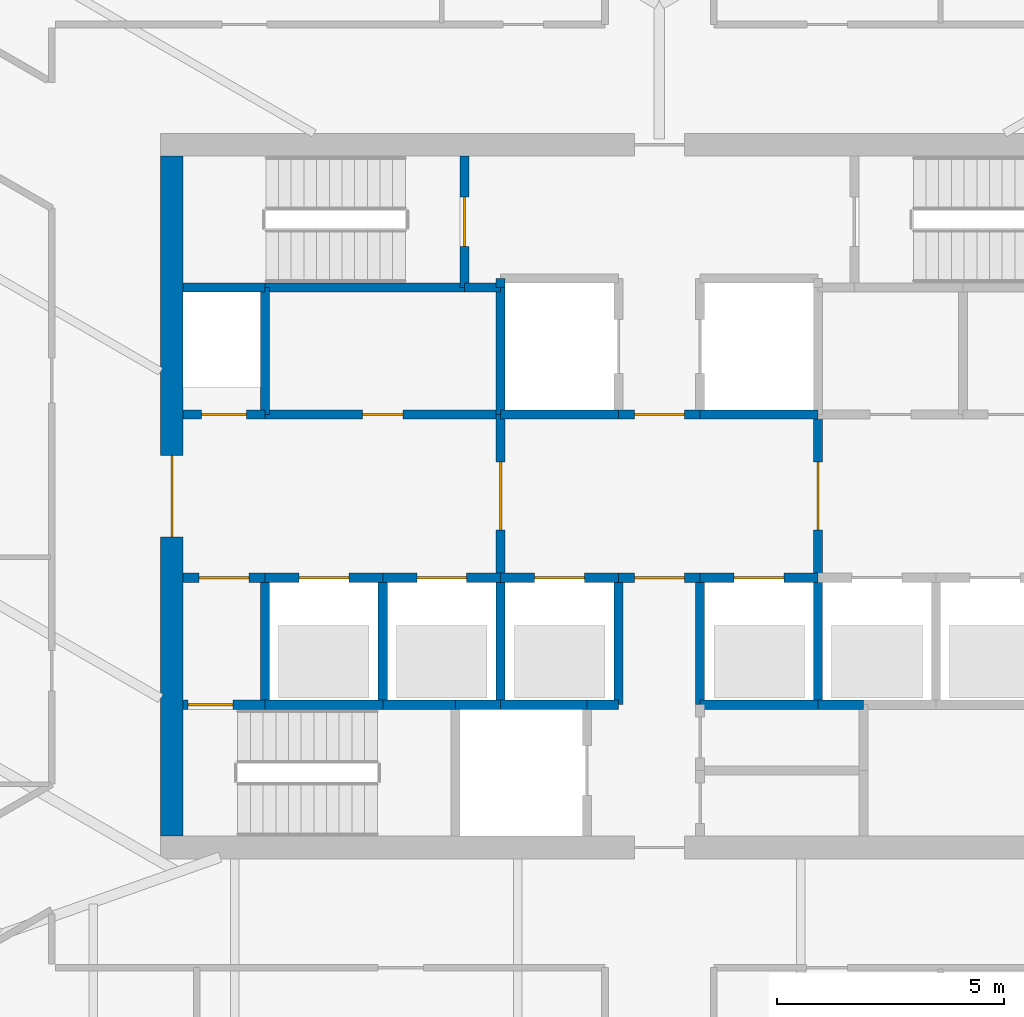
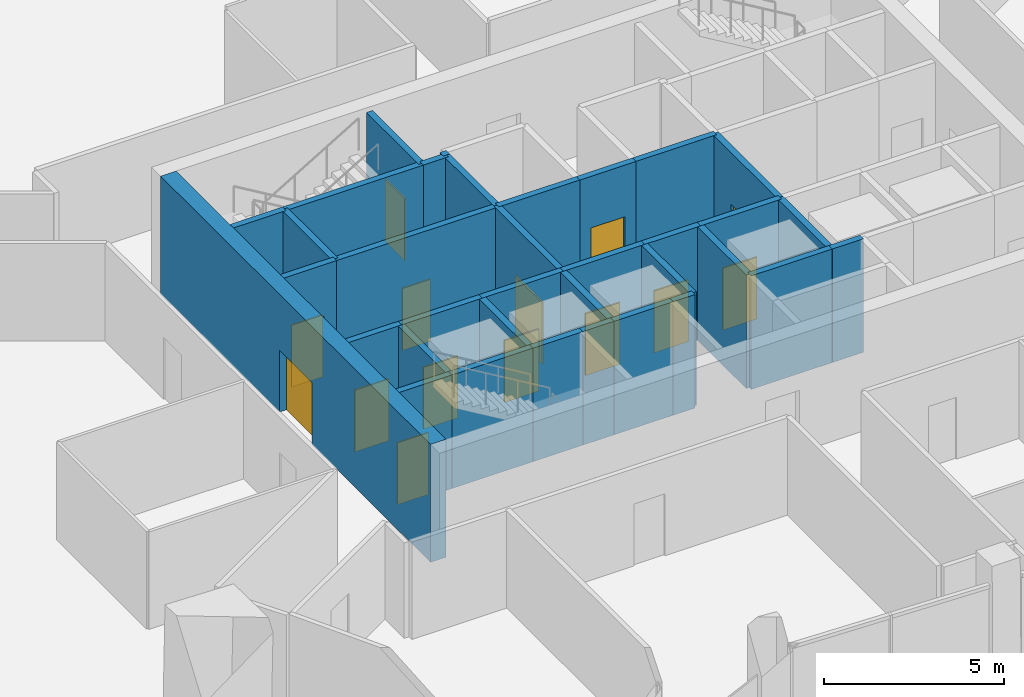
# One storey, part 9 of 16: 35 walls, 14 doors, 14 openings.
"""IFC4 building model written with IfcOpenShell, lengths in metres."""

import ifcopenshell
import ifcopenshell.guid

model = None  # the IFC model being written
_history = None  # IfcOwnerHistory: only IFC2X3 demands one
_inside = {}  # id of a spatial element -> (the spatial element, [elements in it])
_under = {}  # id of a project, library or spatial element -> (it, [spatial elements below it])
_declared = {}  # id of a project -> (the project, [libraries it declares])
_typed = {}  # id of a type object -> (the type object, [elements of that type])
_made_of = {}  # id of a material, layer set ... -> (it, [elements and type objects made of it])


def new_model(schema):
    """Start an empty IFC model of exactly this schema.

    Asked for "IFC4X3", IfcOpenShell would pick the latest addendum, in which some entities
    have other attributes; the version numbers below select the first issue.
    IFC2X3 requires an IfcOwnerHistory on every rooted entity: one is made here for all.
    """
    global model, _history
    if schema == "IFC4X3":
        model = ifcopenshell.file(schema_version=(4, 3, 0, 0))
    else:
        model = ifcopenshell.file(schema=schema)
    _inside.clear()
    _under.clear()
    _declared.clear()
    _typed.clear()
    _made_of.clear()
    _history = None
    if model.schema == "IFC2X3":
        org = make("IfcOrganization", Name="unknown")
        user = make(
            "IfcPersonAndOrganization",
            ThePerson=make("IfcPerson", FamilyName="unknown"),
            TheOrganization=org,
        )
        app = make(
            "IfcApplication",
            ApplicationDeveloper=org,
            Version="unknown",
            ApplicationFullName="unknown",
            ApplicationIdentifier="unknown",
        )
        _history = make(
            "IfcOwnerHistory",
            OwningUser=user,
            OwningApplication=app,
            ChangeAction="ADDED",
            CreationDate=0,
        )
    return model


def make(cls, **values):
    """One entity of the class cls with the attributes given. An attribute that is None is left unset."""
    return model.create_entity(
        cls, **{name: value for name, value in values.items() if value is not None}
    )


def rooted(cls, **values):
    """An entity with a GlobalId (a new one), such as an element, a storey or a relation."""
    return make(cls, GlobalId=ifcopenshell.guid.new(), OwnerHistory=_history, **values)


def si_unit(unit_type, name, prefix=None):
    """IfcSIUnit, for example si_unit("LENGTHUNIT", "METRE", prefix="MILLI")."""
    return make("IfcSIUnit", UnitType=unit_type, Prefix=prefix, Name=name)


def assignment(units):
    """IfcUnitAssignment: the units of a project."""
    return None if units is None else make("IfcUnitAssignment", Units=units)


def point(xyz):
    """IfcCartesianPoint."""
    return None if xyz is None else make("IfcCartesianPoint", Coordinates=xyz)


def direction(xyz):
    """IfcDirection."""
    return None if xyz is None else make("IfcDirection", DirectionRatios=xyz)


def frame(location, z_axis=None, x_axis=None):
    """IfcAxis2Placement3D, a coordinate frame: its origin and axes. An axis left out is left unset."""
    return make(
        "IfcAxis2Placement3D",
        Location=point(location),
        Axis=direction(z_axis),
        RefDirection=direction(x_axis),
    )


def frame_2d(location, x_axis=None):
    """IfcAxis2Placement2D, a coordinate frame in the plane: its origin and x axis."""
    return make(
        "IfcAxis2Placement2D", Location=point(location), RefDirection=direction(x_axis)
    )


def origin():
    """The frame at (0, 0, 0) with its axes left unset."""
    return frame((0.0, 0.0, 0.0))


def place(relative_to, where):
    """IfcLocalPlacement: puts the frame where relative to a parent placement (None: the world)."""
    return make(
        "IfcLocalPlacement", PlacementRelTo=relative_to, RelativePlacement=where
    )


def context(
    kind, dimensions, precision=None, world=None, true_north=None, identifier=None
):
    """IfcGeometricRepresentationContext, for example the 3D "Model" context."""
    return make(
        "IfcGeometricRepresentationContext",
        ContextIdentifier=identifier,
        ContextType=kind,
        CoordinateSpaceDimension=dimensions,
        Precision=precision,
        WorldCoordinateSystem=world,
        TrueNorth=true_north,
    )


def subcontext(parent, identifier, kind, view, scale=None):
    """IfcGeometricRepresentationSubContext, for example "Body" below "Model"."""
    return make(
        "IfcGeometricRepresentationSubContext",
        ContextIdentifier=identifier,
        ContextType=kind,
        ParentContext=parent,
        TargetScale=scale,
        TargetView=view,
    )


def project(units=None, contexts=None):
    """IfcProject with its units and contexts."""
    return rooted(
        "IfcProject",
        Name="project",
        RepresentationContexts=contexts,
        UnitsInContext=assignment(units),
    )


def spatial(cls, under=None, at=None, **own):
    """A site, building, storey or space (cls), placed at a placement, below another one or the project."""
    s = rooted(cls, ObjectPlacement=at, **own)
    if under is not None:
        _under.setdefault(under.id(), (under, []))[1].append(s)
    return s


def profile(cls, at=None, kind="AREA", **sizes):
    """A parametric profile (cls). Its sizes go by their IFC names, for example OverallWidth=200.0."""
    return make(cls, ProfileType=kind, Position=at, **sizes)


def rectangle(**sizes):
    """IfcRectangleProfileDef."""
    return profile("IfcRectangleProfileDef", **sizes)


def extrude(swept, where, along, depth):
    """IfcExtrudedAreaSolid: the profile swept, set in the frame where, extruded along a direction by depth."""
    return make(
        "IfcExtrudedAreaSolid",
        SweptArea=swept,
        Position=where,
        ExtrudedDirection=direction(along),
        Depth=depth,
    )


def shape(context_of_items, identifier, shape_type, items):
    """IfcShapeRepresentation: the items that make up one representation, for example the "Body"."""
    return make(
        "IfcShapeRepresentation",
        ContextOfItems=context_of_items,
        RepresentationIdentifier=identifier,
        RepresentationType=shape_type,
        Items=items,
    )


def material(Name=None, Category=None):
    """IfcMaterial."""
    return make("IfcMaterial", Name=Name, Category=Category)


def layer(
    of_material, thickness, ventilated=None, Name=None, Category=None, Priority=None
):
    """IfcMaterialLayer: one layer of a wall or slab, of a material (None: an air gap)."""
    return make(
        "IfcMaterialLayer",
        Material=of_material,
        LayerThickness=thickness,
        IsVentilated=ventilated,
        Name=Name,
        Category=Category,
        Priority=Priority,
    )


def layer_set(layers, Name=None):
    """IfcMaterialLayerSet."""
    return make("IfcMaterialLayerSet", MaterialLayers=layers, LayerSetName=Name)


def made_of(thing, what):
    """Note that an element or type object is made of a material, layer set ...; save() writes the relation."""
    if what is not None:
        _made_of.setdefault(what.id(), (what, []))[1].append(thing)
    return thing


def type_object(cls, material=None, **own):
    """A type object (cls), such as IfcWallType, which elements share."""
    return made_of(rooted(cls, **own), material)


def element(
    cls,
    number,
    at=None,
    inside=None,
    cuts=None,
    type_object=None,
    material=None,
    context=None,
    identifier="Body",
    shape_type=None,
    held_by="IfcProductDefinitionShape",
    body=None,
    shapes=None,
    **own,
):
    """One element of the class cls, such as IfcWall. Its Tag is "e" and its number.

    at: its placement. inside: the storey or other place that contains it. cuts: it is an
    opening in that element (IfcRelVoidsElement). A single representation is given by context,
    identifier, shape_type and body (its items); several are given by shapes. held_by: the class
    of the entity that holds the representations. save() writes the other relations.
    """
    e = rooted(cls, Tag="e%d" % number, ObjectPlacement=at, **own)
    if body is not None:
        shapes = [shape(context, identifier, shape_type, body)]
    if shapes is not None:
        e.Representation = make(held_by, Representations=shapes)
    if inside is not None:
        _inside.setdefault(inside.id(), (inside, []))[1].append(e)
    if cuts is not None:
        rooted(
            "IfcRelVoidsElement", RelatingBuildingElement=cuts, RelatedOpeningElement=e
        )
    if type_object is not None:
        _typed.setdefault(type_object.id(), (type_object, []))[1].append(e)
    return made_of(e, material)


def fill(opening, filler):
    """IfcRelFillsElement: the door or window that sits in an opening."""
    return rooted(
        "IfcRelFillsElement",
        RelatingOpeningElement=opening,
        RelatedBuildingElement=filler,
    )


def aggregate(whole, parts):
    """IfcRelAggregates: a whole, such as a stair, and the parts it consists of."""
    return rooted("IfcRelAggregates", RelatingObject=whole, RelatedObjects=parts)


def save(model, path):
    """Write the relations noted so far, then the file.

    IfcRelAggregates (storeys below a building ...), IfcRelContainedInSpatialStructure (elements
    in a storey), IfcRelDefinesByType, IfcRelAssociatesMaterial and IfcRelDeclares: one each for
    every whole, place, type object, material and project.
    """
    for whole, parts in _under.values():
        aggregate(whole, parts)
    for where, things in _inside.values():
        rooted(
            "IfcRelContainedInSpatialStructure",
            RelatedElements=things,
            RelatingStructure=where,
        )
    for kind, things in _typed.values():
        rooted("IfcRelDefinesByType", RelatedObjects=things, RelatingType=kind)
    for what, things in _made_of.values():
        rooted("IfcRelAssociatesMaterial", RelatedObjects=things, RelatingMaterial=what)
    for by, libraries in _declared.values():
        rooted("IfcRelDeclares", RelatingContext=by, RelatedDefinitions=libraries)
    model.write(path)


model = new_model("IFC4")

# Units and contexts
model_context = context("Model", 3, precision=1e-05, world=origin(), true_north=direction((0.0, 1.0)))
body_context = subcontext(model_context, "Body", "Model", "MODEL_VIEW")
ifc_project = project(units=[si_unit("LENGTHUNIT", "METRE"), si_unit("AREAUNIT", "SQUARE_METRE"), si_unit("VOLUMEUNIT", "CUBIC_METRE"), si_unit("PLANEANGLEUNIT", "RADIAN"), si_unit("MASSUNIT", "GRAM", prefix="KILO")], contexts=[model_context])

# Site, building, storey
site_placement = place(None, origin())
site = spatial("IfcSite", under=ifc_project, at=site_placement, CompositionType="ELEMENT")
building_placement = place(site_placement, origin())
building = spatial("IfcBuilding", under=site, at=building_placement, Name="Sierra Prisma Convention Tower", CompositionType="ELEMENT")
storey_placement = place(building_placement, frame((0.0, 0.0, 303.0)))
storey = spatial("IfcBuildingStorey", under=building, at=storey_placement, Name="L69", CompositionType="ELEMENT", Elevation=303.0)

# Wall, opening, door
ifc_material_1 = material(Name="Concrete C30/37", Category="concrete")
ifc_layer_1 = layer(ifc_material_1, 0.199951171875)
ifc_layer_set_1 = layer_set([ifc_layer_1], Name="Core wall RC 200 C30/37")
wall_type_1 = type_object("IfcWallType", Name="Core wall RC 200 C30/37", PredefinedType="SOLIDWALL", material=ifc_layer_set_1)
wall_1_placement = place(storey_placement, frame((-10.5, -4.60009765625, 0.0), z_axis=(0.0, 0.0, 1.0), x_axis=(1.0, 0.0, 0.0)))
wall_1 = element("IfcWall", 1, at=wall_1_placement, inside=storey, type_object=wall_type_1, Name="Core wall L69 1", PredefinedType="SOLIDWALL", context=body_context, shape_type="SweptSolid", body=[
    extrude(rectangle(XDim=1.800048828125, YDim=0.199951171875, at=frame_2d((0.89990234375, 0.0))), origin(), (0.0, 0.0, 1.0), 3.85009765625),
])
opening_1_placement = place(wall_1_placement, frame((0.10009765625, 0.0, 0.0)))
opening_1 = element("IfcOpeningElement", 2, at=opening_1_placement, cuts=wall_1, Name="Opening L69-D017", PredefinedType="OPENING", context=body_context, shape_type="SweptSolid", body=[
    extrude(rectangle(XDim=1.0, YDim=2.10009765625, at=frame_2d((0.5, 1.050048828125))), frame((0.0, 0.10009765625, 0.0), z_axis=(0.0, -1.0, 0.0), x_axis=(1.0, 0.0, 0.0)), (0.0, 0.0, 1.0), 0.199951171875),
])
ifc_material_2 = material(Name="Steel fire door leaf", Category="steel")
door_type_1 = type_object("IfcDoorType", Name="Door 1000x2100 FD90S", OperationType="SINGLE_SWING_LEFT", PredefinedType="DOOR", material=ifc_material_2)
door_1_placement = place(opening_1_placement, origin())
door_1 = element("IfcDoor", 3, at=door_1_placement, inside=storey, type_object=door_type_1, Name="Door L69 30", OperationType="SINGLE_SWING_LEFT", OverallHeight=2.10009765625, OverallWidth=1.0, PredefinedType="DOOR", context=body_context, shape_type="SweptSolid", body=[
    extrude(rectangle(XDim=1.0, YDim=2.10009765625, at=frame_2d((0.5, 1.050048828125))), frame((0.0, 0.02490234375, 0.0), z_axis=(0.0, -1.0, 0.0), x_axis=(1.0, 0.0, 0.0)), (0.0, 0.0, 1.0), 0.050048828125),
])
fill(opening_1, door_1)

wall_2_placement = place(storey_placement, frame((-10.5, -1.800048828125, 0.0), z_axis=(0.0, 0.0, 1.0), x_axis=(1.0, 0.0, 0.0)))
wall_2 = element("IfcWall", 4, at=wall_2_placement, inside=storey, type_object=wall_type_1, Name="Core wall L69 2", PredefinedType="SOLIDWALL", context=body_context, shape_type="SweptSolid", body=[
    extrude(rectangle(XDim=1.800048828125, YDim=0.199951171875, at=frame_2d((0.89990234375, 0.0))), origin(), (0.0, 0.0, 1.0), 3.85009765625),
])
opening_2_placement = place(wall_2_placement, frame((0.35009765625, 0.0, 0.0)))
opening_2 = element("IfcOpeningElement", 5, at=opening_2_placement, cuts=wall_2, Name="Opening L69-D012", PredefinedType="OPENING", context=body_context, shape_type="SweptSolid", body=[
    extrude(rectangle(XDim=1.10009765625, YDim=2.10009765625, at=frame_2d((0.550048828125, 1.050048828125))), frame((0.0, 0.10009765625, 0.0), z_axis=(0.0, -1.0, 0.0), x_axis=(1.0, 0.0, 0.0)), (0.0, 0.0, 1.0), 0.199951171875),
])
ifc_material_3 = material(Name="Steel fire door leaf", Category="steel")
door_type_2 = type_object("IfcDoorType", Name="Door 1100x2100 FD90S", OperationType="SINGLE_SWING_LEFT", PredefinedType="DOOR", material=ifc_material_3)
door_2_placement = place(opening_2_placement, origin())
door_2 = element("IfcDoor", 6, at=door_2_placement, inside=storey, type_object=door_type_2, Name="Door L69 25", OperationType="SINGLE_SWING_LEFT", OverallHeight=2.10009765625, OverallWidth=1.10009765625, PredefinedType="DOOR", context=body_context, shape_type="SweptSolid", body=[
    extrude(rectangle(XDim=1.10009765625, YDim=2.10009765625, at=frame_2d((0.550048828125, 1.050048828125))), frame((0.0, 0.02490234375, 0.0), z_axis=(0.0, -1.0, 0.0), x_axis=(1.0, 0.0, 0.0)), (0.0, 0.0, 1.0), 0.050048828125),
])
fill(opening_2, door_2)

wall_3_placement = place(storey_placement, frame((-8.699951171875, 1.800048828125, 0.0), z_axis=(0.0, 0.0, 1.0), x_axis=(-1.0, 0.0, 0.0)))
wall_3 = element("IfcWall", 7, at=wall_3_placement, inside=storey, type_object=wall_type_1, Name="Core wall L69 3", PredefinedType="SOLIDWALL", context=body_context, shape_type="SweptSolid", body=[
    extrude(rectangle(XDim=1.800048828125, YDim=0.199951171875, at=frame_2d((0.89990234375, 0.0))), origin(), (0.0, 0.0, 1.0), 3.85009765625),
])
opening_3_placement = place(wall_3_placement, frame((0.39990234375, 0.0, 0.0)))
opening_3 = element("IfcOpeningElement", 8, at=opening_3_placement, cuts=wall_3, Name="Opening L69-D015", PredefinedType="OPENING", context=body_context, shape_type="SweptSolid", body=[
    extrude(rectangle(XDim=1.0, YDim=2.10009765625, at=frame_2d((0.5, 1.050048828125))), frame((0.0, 0.10009765625, 0.0), z_axis=(0.0, -1.0, 0.0), x_axis=(1.0, 0.0, 0.0)), (0.0, 0.0, 1.0), 0.199951171875),
])
ifc_material_4 = material(Name="Steel fire door leaf", Category="steel")
door_type_3 = type_object("IfcDoorType", Name="Door 1000x2100 FD60S", OperationType="SINGLE_SWING_LEFT", PredefinedType="DOOR", material=ifc_material_4)
door_3_placement = place(opening_3_placement, origin())
door_3 = element("IfcDoor", 9, at=door_3_placement, inside=storey, type_object=door_type_3, Name="Door L69 28", OperationType="SINGLE_SWING_RIGHT", OverallHeight=2.10009765625, OverallWidth=1.0, PredefinedType="DOOR", context=body_context, shape_type="SweptSolid", body=[
    extrude(rectangle(XDim=1.0, YDim=2.10009765625, at=frame_2d((0.5, 1.050048828125))), frame((0.0, 0.02490234375, 0.0), z_axis=(0.0, -1.0, 0.0), x_axis=(1.0, 0.0, 0.0)), (0.0, 0.0, 1.0), 0.050048828125),
])
fill(opening_3, door_3)

# Walls
wall_4_placement = place(storey_placement, frame((-8.699951171875, 4.60009765625, 0.0), z_axis=(0.0, 0.0, 1.0), x_axis=(-1.0, 0.0, 0.0)))
element("IfcWall", 10, at=wall_4_placement, inside=storey, type_object=wall_type_1, Name="Core wall L69 4", PredefinedType="SOLIDWALL", context=body_context, shape_type="SweptSolid", body=[
    extrude(rectangle(XDim=1.800048828125, YDim=0.199951171875, at=frame_2d((0.89990234375, 0.0))), origin(), (0.0, 0.0, 1.0), 3.85009765625),
])
wall_5_placement = place(storey_placement, frame((-8.699951171875, -4.60009765625, 0.0), z_axis=(0.0, 0.0, 1.0), x_axis=(1.0, 0.0, 0.0)))
element("IfcWall", 11, at=wall_5_placement, inside=storey, type_object=wall_type_1, Name="Core wall L69 5", PredefinedType="SOLIDWALL", context=body_context, shape_type="SweptSolid", body=[
    extrude(rectangle(XDim=2.599853515625, YDim=0.199951171875, at=frame_2d((1.2998046875, 0.0))), origin(), (0.0, 0.0, 1.0), 3.85009765625),
])
wall_6_placement = place(storey_placement, frame((-8.699951171875, -4.60009765625, 0.0), z_axis=(0.0, 0.0, 1.0), x_axis=(0.0, 1.0, 0.0)))
element("IfcWall", 12, at=wall_6_placement, inside=storey, type_object=wall_type_1, Name="Core wall L69 6", PredefinedType="SOLIDWALL", context=body_context, shape_type="SweptSolid", body=[
    extrude(rectangle(XDim=2.800048828125, YDim=0.199951171875, at=frame_2d((1.39990234375, 0.0))), origin(), (0.0, 0.0, 1.0), 3.85009765625),
])

# Wall, opening, door
wall_7_placement = place(storey_placement, frame((-8.699951171875, -1.800048828125, 0.0), z_axis=(0.0, 0.0, 1.0), x_axis=(1.0, 0.0, 0.0)))
wall_7 = element("IfcWall", 13, at=wall_7_placement, inside=storey, type_object=wall_type_1, Name="Core wall L69 7", PredefinedType="SOLIDWALL", context=body_context, shape_type="SweptSolid", body=[
    extrude(rectangle(XDim=2.599853515625, YDim=0.199951171875, at=frame_2d((1.2998046875, 0.0))), origin(), (0.0, 0.0, 1.0), 3.85009765625),
])
opening_4_placement = place(wall_7_placement, frame((0.75, 0.0, 0.0)))
opening_4 = element("IfcOpeningElement", 14, at=opening_4_placement, cuts=wall_7, Name="Opening L69-D001", PredefinedType="OPENING", context=body_context, shape_type="SweptSolid", body=[
    extrude(rectangle(XDim=1.10009765625, YDim=2.10009765625, at=frame_2d((0.550048828125, 1.050048828125))), frame((0.0, 0.10009765625, 0.0), z_axis=(0.0, -1.0, 0.0), x_axis=(1.0, 0.0, 0.0)), (0.0, 0.0, 1.0), 0.199951171875),
])
ifc_material_5 = material(Name="Steel fire door leaf", Category="steel")
door_type_4 = type_object("IfcDoorType", Name="Door 1100x2100 EI 90 sliding lift landing", OperationType="SLIDING_TO_LEFT", PredefinedType="DOOR", material=ifc_material_5)
door_4_placement = place(opening_4_placement, origin())
door_4 = element("IfcDoor", 15, at=door_4_placement, inside=storey, type_object=door_type_4, Name="Door L69 14", OperationType="SLIDING_TO_LEFT", OverallHeight=2.10009765625, OverallWidth=1.10009765625, PredefinedType="DOOR", context=body_context, shape_type="SweptSolid", body=[
    extrude(rectangle(XDim=1.10009765625, YDim=2.10009765625, at=frame_2d((0.550048828125, 1.050048828125))), frame((0.0, 0.02490234375, 0.0), z_axis=(0.0, -1.0, 0.0), x_axis=(1.0, 0.0, 0.0)), (0.0, 0.0, 1.0), 0.050048828125),
])
fill(opening_4, door_4)

wall_8_placement = place(storey_placement, frame((-8.699951171875, 1.800048828125, 0.0), z_axis=(0.0, 0.0, 1.0), x_axis=(1.0, 0.0, 0.0)))
wall_8 = element("IfcWall", 16, at=wall_8_placement, inside=storey, type_object=wall_type_1, Name="Core wall L69 8", PredefinedType="SOLIDWALL", context=body_context, shape_type="SweptSolid", body=[
    extrude(rectangle(XDim=5.199951171875, YDim=0.199951171875, at=frame_2d((2.60009765625, 0.0))), origin(), (0.0, 0.0, 1.0), 3.85009765625),
])
opening_5_placement = place(wall_8_placement, frame((2.14990234375, 0.0, 0.0)))
opening_5 = element("IfcOpeningElement", 17, at=opening_5_placement, cuts=wall_8, Name="Opening L69-D022", PredefinedType="OPENING", context=body_context, shape_type="SweptSolid", body=[
    extrude(rectangle(XDim=0.89990234375, YDim=2.10009765625, at=frame_2d((0.449951171875, 1.050048828125))), frame((0.0, 0.10009765625, 0.0), z_axis=(0.0, -1.0, 0.0), x_axis=(1.0, 0.0, 0.0)), (0.0, 0.0, 1.0), 0.199951171875),
])
ifc_material_6 = material(Name="Steel fire door leaf", Category="steel")
door_type_5 = type_object("IfcDoorType", Name="Door 900x2100 FD30S", OperationType="SINGLE_SWING_LEFT", PredefinedType="DOOR", material=ifc_material_6)
door_5_placement = place(opening_5_placement, origin())
door_5 = element("IfcDoor", 18, at=door_5_placement, inside=storey, type_object=door_type_5, Name="Door L69 35", OperationType="SINGLE_SWING_LEFT", OverallHeight=2.10009765625, OverallWidth=0.89990234375, PredefinedType="DOOR", context=body_context, shape_type="SweptSolid", body=[
    extrude(rectangle(XDim=0.89990234375, YDim=2.10009765625, at=frame_2d((0.449951171875, 1.050048828125))), frame((0.0, 0.02490234375, 0.0), z_axis=(0.0, -1.0, 0.0), x_axis=(1.0, 0.0, 0.0)), (0.0, 0.0, 1.0), 0.050048828125),
])
fill(opening_5, door_5)

# Walls
wall_9_placement = place(storey_placement, frame((-8.699951171875, 4.60009765625, 0.0), z_axis=(0.0, 0.0, 1.0), x_axis=(0.0, -1.0, 0.0)))
element("IfcWall", 19, at=wall_9_placement, inside=storey, type_object=wall_type_1, Name="Core wall L69 9", PredefinedType="SOLIDWALL", context=body_context, shape_type="SweptSolid", body=[
    extrude(rectangle(XDim=2.800048828125, YDim=0.199951171875, at=frame_2d((1.39990234375, 0.0))), origin(), (0.0, 0.0, 1.0), 3.85009765625),
])
wall_10_placement = place(storey_placement, frame((-4.300048828125, 4.60009765625, 0.0), z_axis=(0.0, 0.0, 1.0), x_axis=(-1.0, 0.0, 0.0)))
element("IfcWall", 20, at=wall_10_placement, inside=storey, type_object=wall_type_1, Name="Core wall L69 10", PredefinedType="SOLIDWALL", context=body_context, shape_type="SweptSolid", body=[
    extrude(rectangle(XDim=4.39990234375, YDim=0.199951171875, at=frame_2d((2.199951171875, 0.0))), origin(), (0.0, 0.0, 1.0), 3.85009765625),
])
wall_11_placement = place(storey_placement, frame((-6.10009765625, -4.60009765625, 0.0), z_axis=(0.0, 0.0, 1.0), x_axis=(1.0, 0.0, 0.0)))
element("IfcWall", 21, at=wall_11_placement, inside=storey, type_object=wall_type_1, Name="Core wall L69 11", PredefinedType="SOLIDWALL", context=body_context, shape_type="SweptSolid", body=[
    extrude(rectangle(XDim=1.60009765625, YDim=0.199951171875, at=frame_2d((0.800048828125, 0.0))), origin(), (0.0, 0.0, 1.0), 3.85009765625),
])
wall_12_placement = place(storey_placement, frame((-6.10009765625, -4.60009765625, 0.0), z_axis=(0.0, 0.0, 1.0), x_axis=(0.0, 1.0, 0.0)))
element("IfcWall", 22, at=wall_12_placement, inside=storey, type_object=wall_type_1, Name="Core wall L69 12", PredefinedType="SOLIDWALL", context=body_context, shape_type="SweptSolid", body=[
    extrude(rectangle(XDim=2.800048828125, YDim=0.199951171875, at=frame_2d((1.39990234375, 0.0))), origin(), (0.0, 0.0, 1.0), 3.85009765625),
])

# Wall, opening, door
wall_13_placement = place(storey_placement, frame((-6.10009765625, -1.800048828125, 0.0), z_axis=(0.0, 0.0, 1.0), x_axis=(1.0, 0.0, 0.0)))
wall_13 = element("IfcWall", 23, at=wall_13_placement, inside=storey, type_object=wall_type_1, Name="Core wall L69 13", PredefinedType="SOLIDWALL", context=body_context, shape_type="SweptSolid", body=[
    extrude(rectangle(XDim=2.60009765625, YDim=0.199951171875, at=frame_2d((1.300048828125, 0.0))), origin(), (0.0, 0.0, 1.0), 3.85009765625),
])
opening_6_placement = place(wall_13_placement, frame((0.75, 0.0, 0.0)))
opening_6 = element("IfcOpeningElement", 24, at=opening_6_placement, cuts=wall_13, Name="Opening L69-D002", PredefinedType="OPENING", context=body_context, shape_type="SweptSolid", body=[
    extrude(rectangle(XDim=1.10009765625, YDim=2.10009765625, at=frame_2d((0.550048828125, 1.050048828125))), frame((0.0, 0.10009765625, 0.0), z_axis=(0.0, -1.0, 0.0), x_axis=(1.0, 0.0, 0.0)), (0.0, 0.0, 1.0), 0.199951171875),
])
door_6_placement = place(opening_6_placement, origin())
door_6 = element("IfcDoor", 25, at=door_6_placement, inside=storey, type_object=door_type_4, Name="Door L69 15", OperationType="SLIDING_TO_RIGHT", OverallHeight=2.10009765625, OverallWidth=1.10009765625, PredefinedType="DOOR", context=body_context, shape_type="SweptSolid", body=[
    extrude(rectangle(XDim=1.10009765625, YDim=2.10009765625, at=frame_2d((0.550048828125, 1.050048828125))), frame((0.0, 0.02490234375, 0.0), z_axis=(0.0, -1.0, 0.0), x_axis=(1.0, 0.0, 0.0)), (0.0, 0.0, 1.0), 0.050048828125),
])
fill(opening_6, door_6)

# Walls
wall_14_placement = place(storey_placement, frame((-4.5, -4.60009765625, 0.0), z_axis=(0.0, 0.0, 1.0), x_axis=(1.0, 0.0, 0.0)))
element("IfcWall", 26, at=wall_14_placement, inside=storey, type_object=wall_type_1, Name="Core wall L69 15", PredefinedType="SOLIDWALL", context=body_context, shape_type="SweptSolid", body=[
    extrude(rectangle(XDim=1.0, YDim=0.199951171875, at=frame_2d((0.5, 0.0))), origin(), (0.0, 0.0, 1.0), 3.85009765625),
])
wall_15_placement = place(storey_placement, frame((-3.5, 4.60009765625, 0.0), z_axis=(0.0, 0.0, 1.0), x_axis=(-1.0, 0.0, 0.0)))
element("IfcWall", 27, at=wall_15_placement, inside=storey, type_object=wall_type_1, Name="Core wall L69 16", PredefinedType="SOLIDWALL", context=body_context, shape_type="SweptSolid", body=[
    extrude(rectangle(XDim=0.800048828125, YDim=0.199951171875, at=frame_2d((0.39990234375, 0.0))), origin(), (0.0, 0.0, 1.0), 3.85009765625),
])

# Wall, opening, door
wall_16_placement = place(storey_placement, frame((-4.300048828125, 4.60009765625, 0.0), z_axis=(0.0, 0.0, 1.0), x_axis=(0.0, 1.0, 0.0)))
wall_16 = element("IfcWall", 28, at=wall_16_placement, inside=storey, type_object=wall_type_1, Name="Core wall L69 17", PredefinedType="SOLIDWALL", context=body_context, shape_type="SweptSolid", body=[
    extrude(rectangle(XDim=2.89990234375, YDim=0.199951171875, at=frame_2d((1.449951171875, 0.0))), origin(), (0.0, 0.0, 1.0), 3.85009765625),
])
opening_7_placement = place(wall_16_placement, frame((0.89990234375, 0.0, 0.0)))
opening_7 = element("IfcOpeningElement", 29, at=opening_7_placement, cuts=wall_16, Name="Opening L69-D018", PredefinedType="OPENING", context=body_context, shape_type="SweptSolid", body=[
    extrude(rectangle(XDim=1.10009765625, YDim=2.10009765625, at=frame_2d((0.550048828125, 1.050048828125))), frame((0.0, 0.10009765625, 0.0), z_axis=(0.0, -1.0, 0.0), x_axis=(1.0, 0.0, 0.0)), (0.0, 0.0, 1.0), 0.199951171875),
])
door_7_placement = place(opening_7_placement, origin())
door_7 = element("IfcDoor", 30, at=door_7_placement, inside=storey, type_object=door_type_2, Name="Door L69 31", OperationType="SINGLE_SWING_LEFT", OverallHeight=2.10009765625, OverallWidth=1.10009765625, PredefinedType="DOOR", context=body_context, shape_type="SweptSolid", body=[
    extrude(rectangle(XDim=1.10009765625, YDim=2.10009765625, at=frame_2d((0.550048828125, 1.050048828125))), frame((0.0, 0.02490234375, 0.0), z_axis=(0.0, -1.0, 0.0), x_axis=(1.0, 0.0, 0.0)), (0.0, 0.0, 1.0), 0.050048828125),
])
fill(opening_7, door_7)

# Walls
wall_17_placement = place(storey_placement, frame((-3.5, -4.60009765625, 0.0), z_axis=(0.0, 0.0, 1.0), x_axis=(1.0, 0.0, 0.0)))
element("IfcWall", 31, at=wall_17_placement, inside=storey, type_object=wall_type_1, Name="Core wall L69 18", PredefinedType="SOLIDWALL", context=body_context, shape_type="SweptSolid", body=[
    extrude(rectangle(XDim=1.89990234375, YDim=0.199951171875, at=frame_2d((0.949951171875, 0.0))), origin(), (0.0, 0.0, 1.0), 3.85009765625),
])
wall_18_placement = place(storey_placement, frame((-3.5, -4.60009765625, 0.0), z_axis=(0.0, 0.0, 1.0), x_axis=(0.0, 1.0, 0.0)))
element("IfcWall", 32, at=wall_18_placement, inside=storey, type_object=wall_type_1, Name="Core wall L69 19", PredefinedType="SOLIDWALL", context=body_context, shape_type="SweptSolid", body=[
    extrude(rectangle(XDim=2.800048828125, YDim=0.199951171875, at=frame_2d((1.39990234375, 0.0))), origin(), (0.0, 0.0, 1.0), 3.85009765625),
])

# Wall, opening, door
wall_19_placement = place(storey_placement, frame((-3.5, -1.800048828125, 0.0), z_axis=(0.0, 0.0, 1.0), x_axis=(1.0, 0.0, 0.0)))
wall_19 = element("IfcWall", 33, at=wall_19_placement, inside=storey, type_object=wall_type_1, Name="Core wall L69 20", PredefinedType="SOLIDWALL", context=body_context, shape_type="SweptSolid", body=[
    extrude(rectangle(XDim=2.60009765625, YDim=0.199951171875, at=frame_2d((1.300048828125, 0.0))), origin(), (0.0, 0.0, 1.0), 3.85009765625),
])
opening_8_placement = place(wall_19_placement, frame((0.75, 0.0, 0.0)))
opening_8 = element("IfcOpeningElement", 34, at=opening_8_placement, cuts=wall_19, Name="Opening L69-D003", PredefinedType="OPENING", context=body_context, shape_type="SweptSolid", body=[
    extrude(rectangle(XDim=1.10009765625, YDim=2.10009765625, at=frame_2d((0.550048828125, 1.050048828125))), frame((0.0, 0.10009765625, 0.0), z_axis=(0.0, -1.0, 0.0), x_axis=(1.0, 0.0, 0.0)), (0.0, 0.0, 1.0), 0.199951171875),
])
door_8_placement = place(opening_8_placement, origin())
door_8 = element("IfcDoor", 35, at=door_8_placement, inside=storey, type_object=door_type_4, Name="Door L69 16", OperationType="SLIDING_TO_LEFT", OverallHeight=2.10009765625, OverallWidth=1.10009765625, PredefinedType="DOOR", context=body_context, shape_type="SweptSolid", body=[
    extrude(rectangle(XDim=1.10009765625, YDim=2.10009765625, at=frame_2d((0.550048828125, 1.050048828125))), frame((0.0, 0.02490234375, 0.0), z_axis=(0.0, -1.0, 0.0), x_axis=(1.0, 0.0, 0.0)), (0.0, 0.0, 1.0), 0.050048828125),
])
fill(opening_8, door_8)

wall_20_placement = place(storey_placement, frame((-3.5, 1.800048828125, 0.0), z_axis=(0.0, 0.0, 1.0), x_axis=(0.0, -1.0, 0.0)))
wall_20 = element("IfcWall", 36, at=wall_20_placement, inside=storey, type_object=wall_type_1, Name="Core wall L69 21", PredefinedType="SOLIDWALL", context=body_context, shape_type="SweptSolid", body=[
    extrude(rectangle(XDim=3.60009765625, YDim=0.199951171875, at=frame_2d((1.800048828125, 0.0))), origin(), (0.0, 0.0, 1.0), 3.85009765625),
])
opening_9_placement = place(wall_20_placement, frame((1.050048828125, 0.0, 0.0)))
opening_9 = element("IfcOpeningElement", 37, at=opening_9_placement, cuts=wall_20, Name="Opening L69-D010", PredefinedType="OPENING", context=body_context, shape_type="SweptSolid", body=[
    extrude(rectangle(XDim=1.5, YDim=2.10009765625, at=frame_2d((0.75, 1.050048828125))), frame((0.0, 0.10009765625, 0.0), z_axis=(0.0, -1.0, 0.0), x_axis=(1.0, 0.0, 0.0)), (0.0, 0.0, 1.0), 0.199951171875),
])
ifc_material_7 = material(Name="Steel fire door leaf", Category="steel")
door_type_6 = type_object("IfcDoorType", Name="Door 1500x2100 FD30S", OperationType="DOUBLE_DOOR_SINGLE_SWING", PredefinedType="DOOR", material=ifc_material_7)
door_9_placement = place(opening_9_placement, origin())
door_9 = element("IfcDoor", 38, at=door_9_placement, inside=storey, type_object=door_type_6, Name="Door L69 23", OperationType="DOUBLE_DOOR_SINGLE_SWING", OverallHeight=2.10009765625, OverallWidth=1.5, PredefinedType="DOOR", context=body_context, shape_type="SweptSolid", body=[
    extrude(rectangle(XDim=1.5, YDim=2.10009765625, at=frame_2d((0.75, 1.050048828125))), frame((0.0, 0.02490234375, 0.0), z_axis=(0.0, -1.0, 0.0), x_axis=(1.0, 0.0, 0.0)), (0.0, 0.0, 1.0), 0.050048828125),
])
fill(opening_9, door_9)

# Walls
wall_21_placement = place(storey_placement, frame((-0.89990234375, 1.800048828125, 0.0), z_axis=(0.0, 0.0, 1.0), x_axis=(-1.0, 0.0, 0.0)))
element("IfcWall", 39, at=wall_21_placement, inside=storey, type_object=wall_type_1, Name="Core wall L69 22", PredefinedType="SOLIDWALL", context=body_context, shape_type="SweptSolid", body=[
    extrude(rectangle(XDim=2.60009765625, YDim=0.199951171875, at=frame_2d((1.300048828125, 0.0))), origin(), (0.0, 0.0, 1.0), 3.85009765625),
])
wall_22_placement = place(storey_placement, frame((-3.5, 1.800048828125, 0.0), z_axis=(0.0, 0.0, 1.0), x_axis=(0.0, 1.0, 0.0)))
element("IfcWall", 40, at=wall_22_placement, inside=storey, type_object=wall_type_1, Name="Core wall L69 23", PredefinedType="SOLIDWALL", context=body_context, shape_type="SweptSolid", body=[
    extrude(rectangle(XDim=2.800048828125, YDim=0.199951171875, at=frame_2d((1.39990234375, 0.0))), origin(), (0.0, 0.0, 1.0), 3.85009765625),
])
wall_23_placement = place(storey_placement, frame((-3.5, 4.800048828125, 0.0), z_axis=(0.0, 0.0, 1.0), x_axis=(0.0, -1.0, 0.0)))
element("IfcWall", 41, at=wall_23_placement, inside=storey, type_object=wall_type_1, Name="Core wall L69 26", PredefinedType="SOLIDWALL", context=body_context, shape_type="SweptSolid", body=[
    extrude(rectangle(XDim=0.199951171875, YDim=0.199951171875, at=frame_2d((0.10009765625, 0.0))), origin(), (0.0, 0.0, 1.0), 3.85009765625),
])
wall_24_placement = place(storey_placement, frame((-1.60009765625, -4.60009765625, 0.0), z_axis=(0.0, 0.0, 1.0), x_axis=(1.0, 0.0, 0.0)))
element("IfcWall", 42, at=wall_24_placement, inside=storey, type_object=wall_type_1, Name="Core wall L69 28", PredefinedType="SOLIDWALL", context=body_context, shape_type="SweptSolid", body=[
    extrude(rectangle(XDim=0.7001953125, YDim=0.199951171875, at=frame_2d((0.35009765625, 0.0))), origin(), (0.0, 0.0, 1.0), 3.85009765625),
])
wall_25_placement = place(storey_placement, frame((-0.89990234375, -4.60009765625, 0.0), z_axis=(0.0, 0.0, 1.0), x_axis=(0.0, 1.0, 0.0)))
element("IfcWall", 43, at=wall_25_placement, inside=storey, type_object=wall_type_1, Name="Core wall L69 29", PredefinedType="SOLIDWALL", context=body_context, shape_type="SweptSolid", body=[
    extrude(rectangle(XDim=2.800048828125, YDim=0.199951171875, at=frame_2d((1.39990234375, 0.0))), origin(), (0.0, 0.0, 1.0), 3.85009765625),
])

# Wall, opening, door
wall_26_placement = place(storey_placement, frame((-0.89990234375, -1.800048828125, 0.0), z_axis=(0.0, 0.0, 1.0), x_axis=(1.0, 0.0, 0.0)))
wall_26 = element("IfcWall", 44, at=wall_26_placement, inside=storey, type_object=wall_type_1, Name="Core wall L69 30", PredefinedType="SOLIDWALL", context=body_context, shape_type="SweptSolid", body=[
    extrude(rectangle(XDim=1.7998046875, YDim=0.199951171875, at=frame_2d((0.89990234375, 0.0))), origin(), (0.0, 0.0, 1.0), 3.85009765625),
])
opening_10_placement = place(wall_26_placement, frame((0.35009765625, 0.0, 0.0)))
opening_10 = element("IfcOpeningElement", 45, at=opening_10_placement, cuts=wall_26, Name="Opening L69-D014", PredefinedType="OPENING", context=body_context, shape_type="SweptSolid", body=[
    extrude(rectangle(XDim=1.10009765625, YDim=2.10009765625, at=frame_2d((0.550048828125, 1.050048828125))), frame((0.0, 0.10009765625, 0.0), z_axis=(0.0, -1.0, 0.0), x_axis=(1.0, 0.0, 0.0)), (0.0, 0.0, 1.0), 0.199951171875),
])
ifc_material_8 = material(Name="Steel fire door leaf", Category="steel")
door_type_7 = type_object("IfcDoorType", Name="Door 1100x2100 FD30S", OperationType="SINGLE_SWING_LEFT", PredefinedType="DOOR", material=ifc_material_8)
door_10_placement = place(opening_10_placement, origin())
door_10 = element("IfcDoor", 46, at=door_10_placement, inside=storey, type_object=door_type_7, Name="Door L69 27", OperationType="SINGLE_SWING_LEFT", OverallHeight=2.10009765625, OverallWidth=1.10009765625, PredefinedType="DOOR", context=body_context, shape_type="SweptSolid", body=[
    extrude(rectangle(XDim=1.10009765625, YDim=2.10009765625, at=frame_2d((0.550048828125, 1.050048828125))), frame((0.0, 0.02490234375, 0.0), z_axis=(0.0, -1.0, 0.0), x_axis=(1.0, 0.0, 0.0)), (0.0, 0.0, 1.0), 0.050048828125),
])
fill(opening_10, door_10)

wall_27_placement = place(storey_placement, frame((0.89990234375, 1.800048828125, 0.0), z_axis=(0.0, 0.0, 1.0), x_axis=(-1.0, 0.0, 0.0)))
wall_27 = element("IfcWall", 47, at=wall_27_placement, inside=storey, type_object=wall_type_1, Name="Core wall L69 31", PredefinedType="SOLIDWALL", context=body_context, shape_type="SweptSolid", body=[
    extrude(rectangle(XDim=1.7998046875, YDim=0.199951171875, at=frame_2d((0.89990234375, 0.0))), origin(), (0.0, 0.0, 1.0), 3.85009765625),
])
opening_11_placement = place(wall_27_placement, frame((0.35009765625, 0.0, 0.0)))
opening_11 = element("IfcOpeningElement", 48, at=opening_11_placement, cuts=wall_27, Name="Opening L69-D013", PredefinedType="OPENING", context=body_context, shape_type="SweptSolid", body=[
    extrude(rectangle(XDim=1.10009765625, YDim=2.10009765625, at=frame_2d((0.550048828125, 1.050048828125))), frame((0.0, 0.10009765625, 0.0), z_axis=(0.0, -1.0, 0.0), x_axis=(1.0, 0.0, 0.0)), (0.0, 0.0, 1.0), 0.199951171875),
])
ifc_material_9 = material(Name="Steel fire door leaf", Category="steel")
door_type_8 = type_object("IfcDoorType", Name="Door 1100x2100 FD60S", OperationType="SINGLE_SWING_LEFT", PredefinedType="DOOR", material=ifc_material_9)
door_11_placement = place(opening_11_placement, origin())
door_11 = element("IfcDoor", 49, at=door_11_placement, inside=storey, type_object=door_type_8, Name="Door L69 26", OperationType="SINGLE_SWING_LEFT", OverallHeight=2.10009765625, OverallWidth=1.10009765625, PredefinedType="DOOR", context=body_context, shape_type="SweptSolid", body=[
    extrude(rectangle(XDim=1.10009765625, YDim=2.10009765625, at=frame_2d((0.550048828125, 1.050048828125))), frame((0.0, 0.02490234375, 0.0), z_axis=(0.0, -1.0, 0.0), x_axis=(1.0, 0.0, 0.0)), (0.0, 0.0, 1.0), 0.050048828125),
])
fill(opening_11, door_11)

# Walls
wall_28_placement = place(storey_placement, frame((3.5, -4.60009765625, 0.0), z_axis=(0.0, 0.0, 1.0), x_axis=(-1.0, 0.0, 0.0)))
element("IfcWall", 50, at=wall_28_placement, inside=storey, type_object=wall_type_1, Name="Core wall L69 35", PredefinedType="SOLIDWALL", context=body_context, shape_type="SweptSolid", body=[
    extrude(rectangle(XDim=2.60009765625, YDim=0.199951171875, at=frame_2d((1.300048828125, 0.0))), origin(), (0.0, 0.0, 1.0), 3.85009765625),
])
wall_29_placement = place(storey_placement, frame((0.89990234375, -1.800048828125, 0.0), z_axis=(0.0, 0.0, 1.0), x_axis=(0.0, -1.0, 0.0)))
element("IfcWall", 51, at=wall_29_placement, inside=storey, type_object=wall_type_1, Name="Core wall L69 36", PredefinedType="SOLIDWALL", context=body_context, shape_type="SweptSolid", body=[
    extrude(rectangle(XDim=2.800048828125, YDim=0.199951171875, at=frame_2d((1.39990234375, 0.0))), origin(), (0.0, 0.0, 1.0), 3.85009765625),
])

# Wall, opening, door
wall_30_placement = place(storey_placement, frame((0.89990234375, -1.800048828125, 0.0), z_axis=(0.0, 0.0, 1.0), x_axis=(1.0, 0.0, 0.0)))
wall_30 = element("IfcWall", 52, at=wall_30_placement, inside=storey, type_object=wall_type_1, Name="Core wall L69 37", PredefinedType="SOLIDWALL", context=body_context, shape_type="SweptSolid", body=[
    extrude(rectangle(XDim=2.60009765625, YDim=0.199951171875, at=frame_2d((1.300048828125, 0.0))), origin(), (0.0, 0.0, 1.0), 3.85009765625),
])
opening_12_placement = place(wall_30_placement, frame((0.75, 0.0, 0.0)))
opening_12 = element("IfcOpeningElement", 53, at=opening_12_placement, cuts=wall_30, Name="Opening L69-D004", PredefinedType="OPENING", context=body_context, shape_type="SweptSolid", body=[
    extrude(rectangle(XDim=1.10009765625, YDim=2.10009765625, at=frame_2d((0.550048828125, 1.050048828125))), frame((0.0, 0.10009765625, 0.0), z_axis=(0.0, -1.0, 0.0), x_axis=(1.0, 0.0, 0.0)), (0.0, 0.0, 1.0), 0.199951171875),
])
door_12_placement = place(opening_12_placement, origin())
door_12 = element("IfcDoor", 54, at=door_12_placement, inside=storey, type_object=door_type_4, Name="Door L69 17", OperationType="SLIDING_TO_RIGHT", OverallHeight=2.10009765625, OverallWidth=1.10009765625, PredefinedType="DOOR", context=body_context, shape_type="SweptSolid", body=[
    extrude(rectangle(XDim=1.10009765625, YDim=2.10009765625, at=frame_2d((0.550048828125, 1.050048828125))), frame((0.0, 0.02490234375, 0.0), z_axis=(0.0, -1.0, 0.0), x_axis=(1.0, 0.0, 0.0)), (0.0, 0.0, 1.0), 0.050048828125),
])
fill(opening_12, door_12)

# Walls
wall_31_placement = place(storey_placement, frame((3.5, 1.800048828125, 0.0), z_axis=(0.0, 0.0, 1.0), x_axis=(-1.0, 0.0, 0.0)))
element("IfcWall", 55, at=wall_31_placement, inside=storey, type_object=wall_type_1, Name="Core wall L69 38", PredefinedType="SOLIDWALL", context=body_context, shape_type="SweptSolid", body=[
    extrude(rectangle(XDim=2.60009765625, YDim=0.199951171875, at=frame_2d((1.300048828125, 0.0))), origin(), (0.0, 0.0, 1.0), 3.85009765625),
])
wall_32_placement = place(storey_placement, frame((4.5, -4.60009765625, 0.0), z_axis=(0.0, 0.0, 1.0), x_axis=(-1.0, 0.0, 0.0)))
element("IfcWall", 56, at=wall_32_placement, inside=storey, type_object=wall_type_1, Name="Core wall L69 42", PredefinedType="SOLIDWALL", context=body_context, shape_type="SweptSolid", body=[
    extrude(rectangle(XDim=1.0, YDim=0.199951171875, at=frame_2d((0.5, 0.0))), origin(), (0.0, 0.0, 1.0), 3.85009765625),
])
wall_33_placement = place(storey_placement, frame((3.5, -4.60009765625, 0.0), z_axis=(0.0, 0.0, 1.0), x_axis=(0.0, 1.0, 0.0)))
element("IfcWall", 57, at=wall_33_placement, inside=storey, type_object=wall_type_1, Name="Core wall L69 43", PredefinedType="SOLIDWALL", context=body_context, shape_type="SweptSolid", body=[
    extrude(rectangle(XDim=2.800048828125, YDim=0.199951171875, at=frame_2d((1.39990234375, 0.0))), origin(), (0.0, 0.0, 1.0), 3.85009765625),
])

# Wall, opening, door
wall_34_placement = place(storey_placement, frame((3.5, -1.800048828125, 0.0), z_axis=(0.0, 0.0, 1.0), x_axis=(0.0, 1.0, 0.0)))
wall_34 = element("IfcWall", 58, at=wall_34_placement, inside=storey, type_object=wall_type_1, Name="Core wall L69 45", PredefinedType="SOLIDWALL", context=body_context, shape_type="SweptSolid", body=[
    extrude(rectangle(XDim=3.60009765625, YDim=0.199951171875, at=frame_2d((1.800048828125, 0.0))), origin(), (0.0, 0.0, 1.0), 3.85009765625),
])
opening_13_placement = place(wall_34_placement, frame((1.050048828125, 0.0, 0.0)))
opening_13 = element("IfcOpeningElement", 59, at=opening_13_placement, cuts=wall_34, Name="Opening L69-D011", PredefinedType="OPENING", context=body_context, shape_type="SweptSolid", body=[
    extrude(rectangle(XDim=1.5, YDim=2.10009765625, at=frame_2d((0.75, 1.050048828125))), frame((0.0, 0.10009765625, 0.0), z_axis=(0.0, -1.0, 0.0), x_axis=(1.0, 0.0, 0.0)), (0.0, 0.0, 1.0), 0.199951171875),
])
door_13_placement = place(opening_13_placement, origin())
door_13 = element("IfcDoor", 60, at=door_13_placement, inside=storey, type_object=door_type_6, Name="Door L69 24", OperationType="DOUBLE_DOOR_SINGLE_SWING", OverallHeight=2.10009765625, OverallWidth=1.5, PredefinedType="DOOR", context=body_context, shape_type="SweptSolid", body=[
    extrude(rectangle(XDim=1.5, YDim=2.10009765625, at=frame_2d((0.75, 1.050048828125))), frame((0.0, 0.02490234375, 0.0), z_axis=(0.0, -1.0, 0.0), x_axis=(1.0, 0.0, 0.0)), (0.0, 0.0, 1.0), 0.050048828125),
])
fill(opening_13, door_13)

ifc_material_10 = material(Name="Concrete C50/60", Category="concrete")
ifc_layer_2 = layer(ifc_material_10, 0.5)
ifc_layer_set_2 = layer_set([ifc_layer_2], Name="Core wall RC 500 C50/60")
wall_type_2 = type_object("IfcWallType", Name="Core wall RC 500 C50/60", PredefinedType="SHEAR", material=ifc_layer_set_2)
wall_35_placement = place(storey_placement, frame((-10.75, -7.5, 0.0), z_axis=(0.0, 0.0, 1.0), x_axis=(0.0, 1.0, 0.0)))
wall_35 = element("IfcWall", 61, at=wall_35_placement, inside=storey, type_object=wall_type_2, Name="Core wall W L69", PredefinedType="SHEAR", context=body_context, shape_type="SweptSolid", body=[
    extrude(rectangle(XDim=15.0, YDim=0.5, at=frame_2d((7.5, 0.0))), origin(), (0.0, 0.0, 1.0), 4.0),
])
opening_14_placement = place(wall_35_placement, frame((6.60009765625, 0.0, 0.0)))
opening_14 = element("IfcOpeningElement", 62, at=opening_14_placement, cuts=wall_35, Name="Opening L69-D043", PredefinedType="OPENING", context=body_context, shape_type="SweptSolid", body=[
    extrude(rectangle(XDim=1.800048828125, YDim=2.10009765625, at=frame_2d((0.89990234375, 1.050048828125))), frame((0.0, 0.25, 0.0), z_axis=(0.0, -1.0, 0.0), x_axis=(1.0, 0.0, 0.0)), (0.0, 0.0, 1.0), 0.5),
])
ifc_material_11 = material(Name="Steel fire door leaf", Category="steel")
door_type_9 = type_object("IfcDoorType", Name="Door 1800x2100 FD60S", OperationType="DOUBLE_DOOR_SINGLE_SWING", PredefinedType="DOOR", material=ifc_material_11)
door_14_placement = place(opening_14_placement, origin())
door_14 = element("IfcDoor", 63, at=door_14_placement, inside=storey, type_object=door_type_9, Name="Door L69 40", OperationType="DOUBLE_DOOR_SINGLE_SWING", OverallHeight=2.10009765625, OverallWidth=1.800048828125, PredefinedType="DOOR", context=body_context, shape_type="SweptSolid", body=[
    extrude(rectangle(XDim=1.800048828125, YDim=2.10009765625, at=frame_2d((0.89990234375, 1.050048828125))), frame((0.0, 0.02490234375, 0.0), z_axis=(0.0, -1.0, 0.0), x_axis=(1.0, 0.0, 0.0)), (0.0, 0.0, 1.0), 0.050048828125),
])
fill(opening_14, door_14)

save(model, "model.ifc")
